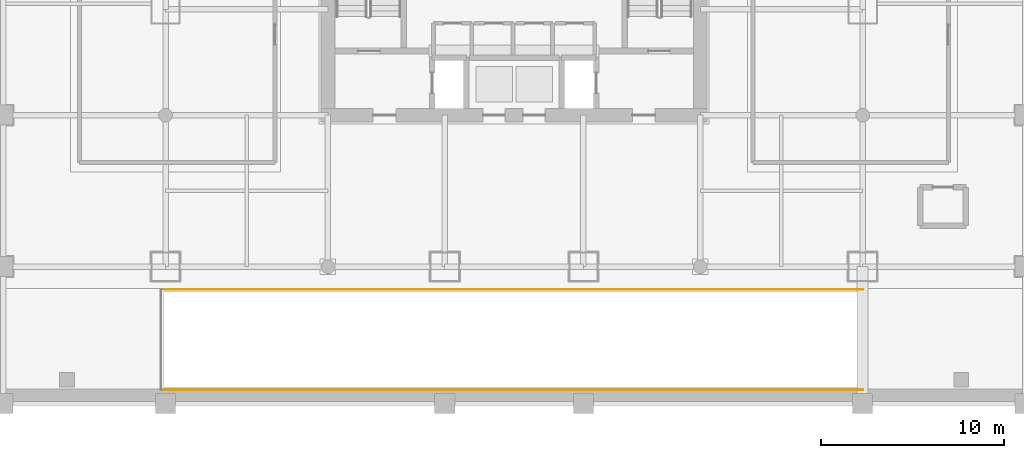
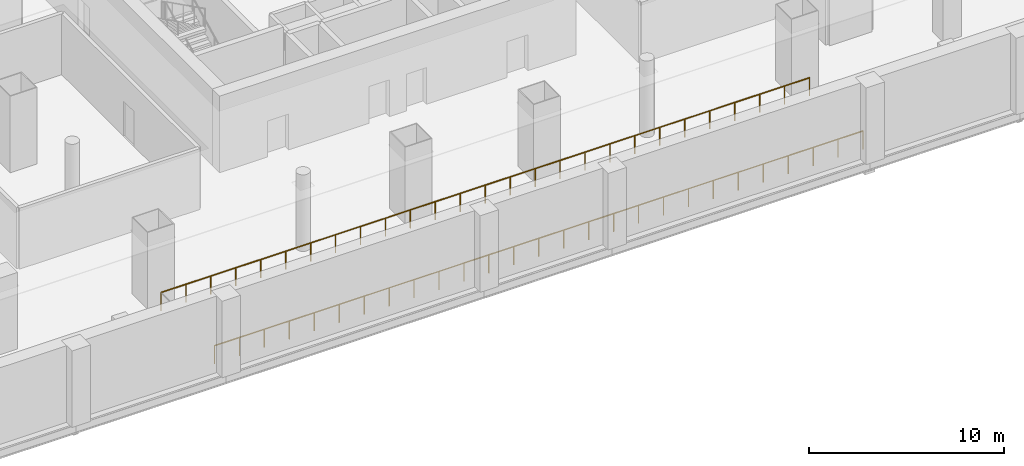
# One storey, part 7 of 12: 2 railings.
"""IFC4 building model written with IfcOpenShell, lengths in metres."""

from ifc_helpers import new_model, si_unit, direction, frame, origin, origin_2d, place, context, subcontext, project, spatial, circle, extrude, material, type_object, element, save


model = new_model("IFC4")

# Units and contexts
model_context = context("Model", 3, precision=1e-05, world=origin(), true_north=direction((0.0, 1.0)))
body_context = subcontext(model_context, "Body", "Model", "MODEL_VIEW")
ifc_project = project(units=[si_unit("LENGTHUNIT", "METRE"), si_unit("AREAUNIT", "SQUARE_METRE"), si_unit("VOLUMEUNIT", "CUBIC_METRE"), si_unit("PLANEANGLEUNIT", "RADIAN"), si_unit("MASSUNIT", "GRAM", prefix="KILO")], contexts=[model_context])

# Site, building, storey
site_placement = place(None, origin())
site = spatial("IfcSite", under=ifc_project, at=site_placement, CompositionType="ELEMENT")
building_placement = place(site_placement, origin())
building = spatial("IfcBuilding", under=site, at=building_placement, Name="Punatoya Terracotta Tower", CompositionType="ELEMENT")
storey_placement = place(building_placement, frame((0.0, 0.0, -4.800048828125)))
storey = spatial("IfcBuildingStorey", under=building, at=storey_placement, Name="B1", CompositionType="ELEMENT", Elevation=-4.800048828125)

# Railings
ifc_material = material(Name="Steel S355", Category="steel")
railing_type = type_object("IfcRailingType", Name="RLG-GRD-1150", PredefinedType="GUARDRAIL", material=ifc_material)
railing_1_placement = place(storey_placement, frame((-19.35009765625, -24.25, 0.0)))
element("IfcRailing", 1, at=railing_1_placement, inside=storey, type_object=railing_type, Name="B1 VR-1 Well South Deck Guard", PredefinedType="GUARDRAIL", context=body_context, shape_type="SweptSolid", body=[
    extrude(circle(Radius=0.02392578125, at=origin_2d()), frame((0.0, 0.0, 1.1259765625), z_axis=(1.0, 0.0, 0.0), x_axis=(0.0, 1.0, 0.0)), (0.0, 0.0, 1.0), 38.47021484375),
    extrude(circle(Radius=0.02099609375, at=origin_2d()), origin(), (0.0, 0.0, 1.0), 1.101806640625),
    extrude(circle(Radius=0.02099609375, at=origin_2d()), frame((1.479736328125, 0.0, 0.0)), (0.0, 0.0, 1.0), 1.101806640625),
    extrude(circle(Radius=0.02099609375, at=origin_2d()), frame((2.959228515625, 0.0, 0.0)), (0.0, 0.0, 1.0), 1.101806640625),
    extrude(circle(Radius=0.02099609375, at=origin_2d()), frame((4.43896484375, 0.0, 0.0)), (0.0, 0.0, 1.0), 1.101806640625),
    extrude(circle(Radius=0.02099609375, at=origin_2d()), frame((5.91845703125, 0.0, 0.0)), (0.0, 0.0, 1.0), 1.101806640625),
    extrude(circle(Radius=0.02099609375, at=origin_2d()), frame((7.398193359375, 0.0, 0.0)), (0.0, 0.0, 1.0), 1.101806640625),
    extrude(circle(Radius=0.02099609375, at=origin_2d()), frame((8.877685546875, 0.0, 0.0)), (0.0, 0.0, 1.0), 1.101806640625),
    extrude(circle(Radius=0.02099609375, at=origin_2d()), frame((10.357421875, 0.0, 0.0)), (0.0, 0.0, 1.0), 1.101806640625),
    extrude(circle(Radius=0.02099609375, at=origin_2d()), frame((11.8369140625, 0.0, 0.0)), (0.0, 0.0, 1.0), 1.101806640625),
    extrude(circle(Radius=0.02099609375, at=origin_2d()), frame((13.316650390625, 0.0, 0.0)), (0.0, 0.0, 1.0), 1.101806640625),
    extrude(circle(Radius=0.02099609375, at=origin_2d()), frame((14.796142578125, 0.0, 0.0)), (0.0, 0.0, 1.0), 1.101806640625),
    extrude(circle(Radius=0.02099609375, at=origin_2d()), frame((16.27587890625, 0.0, 0.0)), (0.0, 0.0, 1.0), 1.101806640625),
    extrude(circle(Radius=0.02099609375, at=origin_2d()), frame((17.75537109375, 0.0, 0.0)), (0.0, 0.0, 1.0), 1.101806640625),
    extrude(circle(Radius=0.02099609375, at=origin_2d()), frame((19.235107421875, 0.0, 0.0)), (0.0, 0.0, 1.0), 1.101806640625),
    extrude(circle(Radius=0.02099609375, at=origin_2d()), frame((20.71484375, 0.0, 0.0)), (0.0, 0.0, 1.0), 1.101806640625),
    extrude(circle(Radius=0.02099609375, at=origin_2d()), frame((22.1943359375, 0.0, 0.0)), (0.0, 0.0, 1.0), 1.101806640625),
    extrude(circle(Radius=0.02099609375, at=origin_2d()), frame((23.674072265625, 0.0, 0.0)), (0.0, 0.0, 1.0), 1.101806640625),
    extrude(circle(Radius=0.02099609375, at=origin_2d()), frame((25.153564453125, 0.0, 0.0)), (0.0, 0.0, 1.0), 1.101806640625),
    extrude(circle(Radius=0.02099609375, at=origin_2d()), frame((26.63330078125, 0.0, 0.0)), (0.0, 0.0, 1.0), 1.101806640625),
    extrude(circle(Radius=0.02099609375, at=origin_2d()), frame((28.11279296875, 0.0, 0.0)), (0.0, 0.0, 1.0), 1.101806640625),
    extrude(circle(Radius=0.02099609375, at=origin_2d()), frame((29.592529296875, 0.0, 0.0)), (0.0, 0.0, 1.0), 1.101806640625),
    extrude(circle(Radius=0.02099609375, at=origin_2d()), frame((31.072021484375, 0.0, 0.0)), (0.0, 0.0, 1.0), 1.101806640625),
    extrude(circle(Radius=0.02099609375, at=origin_2d()), frame((32.5517578125, 0.0, 0.0)), (0.0, 0.0, 1.0), 1.101806640625),
    extrude(circle(Radius=0.02099609375, at=origin_2d()), frame((34.03125, 0.0, 0.0)), (0.0, 0.0, 1.0), 1.101806640625),
    extrude(circle(Radius=0.02099609375, at=origin_2d()), frame((35.510986328125, 0.0, 0.0)), (0.0, 0.0, 1.0), 1.101806640625),
    extrude(circle(Radius=0.02099609375, at=origin_2d()), frame((36.990478515625, 0.0, 0.0)), (0.0, 0.0, 1.0), 1.101806640625),
    extrude(circle(Radius=0.02099609375, at=origin_2d()), frame((38.47021484375, 0.0, 0.0)), (0.0, 0.0, 1.0), 1.101806640625),
])
railing_2_placement = place(storey_placement, frame((-19.35009765625, -18.75, 0.0)))
element("IfcRailing", 2, at=railing_2_placement, inside=storey, type_object=railing_type, Name="B1 VR-1 Well North Deck Guard", PredefinedType="GUARDRAIL", context=body_context, shape_type="SweptSolid", body=[
    extrude(circle(Radius=0.02392578125, at=origin_2d()), frame((0.0, 0.0, 1.1259765625), z_axis=(1.0, 0.0, 0.0), x_axis=(0.0, 1.0, 0.0)), (0.0, 0.0, 1.0), 38.47021484375),
    extrude(circle(Radius=0.02099609375, at=origin_2d()), origin(), (0.0, 0.0, 1.0), 1.101806640625),
    extrude(circle(Radius=0.02099609375, at=origin_2d()), frame((1.479736328125, 0.0, 0.0)), (0.0, 0.0, 1.0), 1.101806640625),
    extrude(circle(Radius=0.02099609375, at=origin_2d()), frame((2.959228515625, 0.0, 0.0)), (0.0, 0.0, 1.0), 1.101806640625),
    extrude(circle(Radius=0.02099609375, at=origin_2d()), frame((4.43896484375, 0.0, 0.0)), (0.0, 0.0, 1.0), 1.101806640625),
    extrude(circle(Radius=0.02099609375, at=origin_2d()), frame((5.91845703125, 0.0, 0.0)), (0.0, 0.0, 1.0), 1.101806640625),
    extrude(circle(Radius=0.02099609375, at=origin_2d()), frame((7.398193359375, 0.0, 0.0)), (0.0, 0.0, 1.0), 1.101806640625),
    extrude(circle(Radius=0.02099609375, at=origin_2d()), frame((8.877685546875, 0.0, 0.0)), (0.0, 0.0, 1.0), 1.101806640625),
    extrude(circle(Radius=0.02099609375, at=origin_2d()), frame((10.357421875, 0.0, 0.0)), (0.0, 0.0, 1.0), 1.101806640625),
    extrude(circle(Radius=0.02099609375, at=origin_2d()), frame((11.8369140625, 0.0, 0.0)), (0.0, 0.0, 1.0), 1.101806640625),
    extrude(circle(Radius=0.02099609375, at=origin_2d()), frame((13.316650390625, 0.0, 0.0)), (0.0, 0.0, 1.0), 1.101806640625),
    extrude(circle(Radius=0.02099609375, at=origin_2d()), frame((14.796142578125, 0.0, 0.0)), (0.0, 0.0, 1.0), 1.101806640625),
    extrude(circle(Radius=0.02099609375, at=origin_2d()), frame((16.27587890625, 0.0, 0.0)), (0.0, 0.0, 1.0), 1.101806640625),
    extrude(circle(Radius=0.02099609375, at=origin_2d()), frame((17.75537109375, 0.0, 0.0)), (0.0, 0.0, 1.0), 1.101806640625),
    extrude(circle(Radius=0.02099609375, at=origin_2d()), frame((19.235107421875, 0.0, 0.0)), (0.0, 0.0, 1.0), 1.101806640625),
    extrude(circle(Radius=0.02099609375, at=origin_2d()), frame((20.71484375, 0.0, 0.0)), (0.0, 0.0, 1.0), 1.101806640625),
    extrude(circle(Radius=0.02099609375, at=origin_2d()), frame((22.1943359375, 0.0, 0.0)), (0.0, 0.0, 1.0), 1.101806640625),
    extrude(circle(Radius=0.02099609375, at=origin_2d()), frame((23.674072265625, 0.0, 0.0)), (0.0, 0.0, 1.0), 1.101806640625),
    extrude(circle(Radius=0.02099609375, at=origin_2d()), frame((25.153564453125, 0.0, 0.0)), (0.0, 0.0, 1.0), 1.101806640625),
    extrude(circle(Radius=0.02099609375, at=origin_2d()), frame((26.63330078125, 0.0, 0.0)), (0.0, 0.0, 1.0), 1.101806640625),
    extrude(circle(Radius=0.02099609375, at=origin_2d()), frame((28.11279296875, 0.0, 0.0)), (0.0, 0.0, 1.0), 1.101806640625),
    extrude(circle(Radius=0.02099609375, at=origin_2d()), frame((29.592529296875, 0.0, 0.0)), (0.0, 0.0, 1.0), 1.101806640625),
    extrude(circle(Radius=0.02099609375, at=origin_2d()), frame((31.072021484375, 0.0, 0.0)), (0.0, 0.0, 1.0), 1.101806640625),
    extrude(circle(Radius=0.02099609375, at=origin_2d()), frame((32.5517578125, 0.0, 0.0)), (0.0, 0.0, 1.0), 1.101806640625),
    extrude(circle(Radius=0.02099609375, at=origin_2d()), frame((34.03125, 0.0, 0.0)), (0.0, 0.0, 1.0), 1.101806640625),
    extrude(circle(Radius=0.02099609375, at=origin_2d()), frame((35.510986328125, 0.0, 0.0)), (0.0, 0.0, 1.0), 1.101806640625),
    extrude(circle(Radius=0.02099609375, at=origin_2d()), frame((36.990478515625, 0.0, 0.0)), (0.0, 0.0, 1.0), 1.101806640625),
    extrude(circle(Radius=0.02099609375, at=origin_2d()), frame((38.47021484375, 0.0, 0.0)), (0.0, 0.0, 1.0), 1.101806640625),
])

save(model, "model.ifc")
